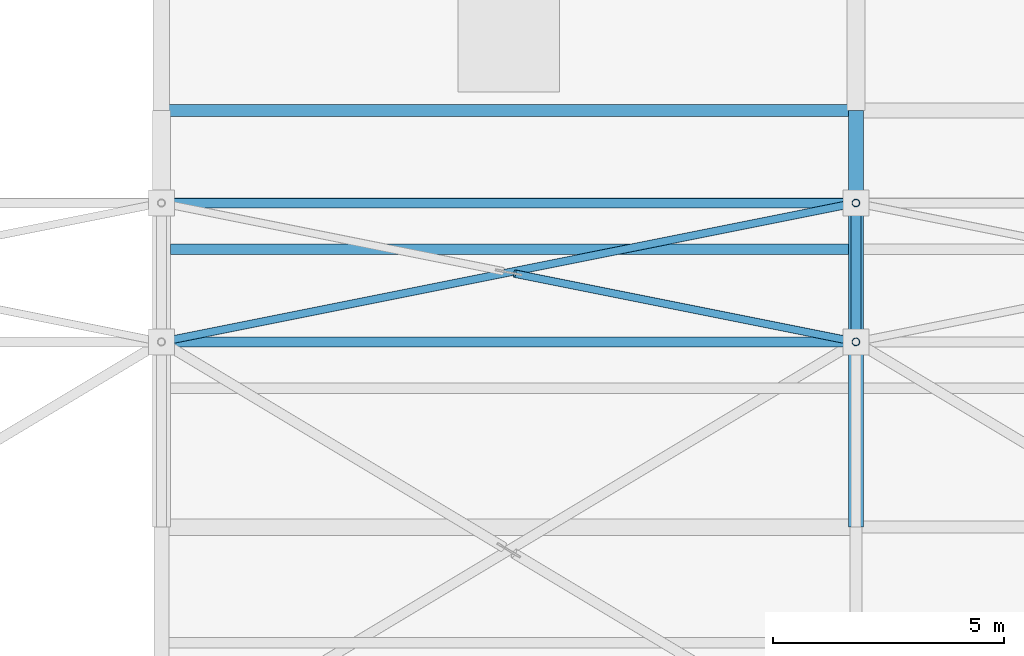
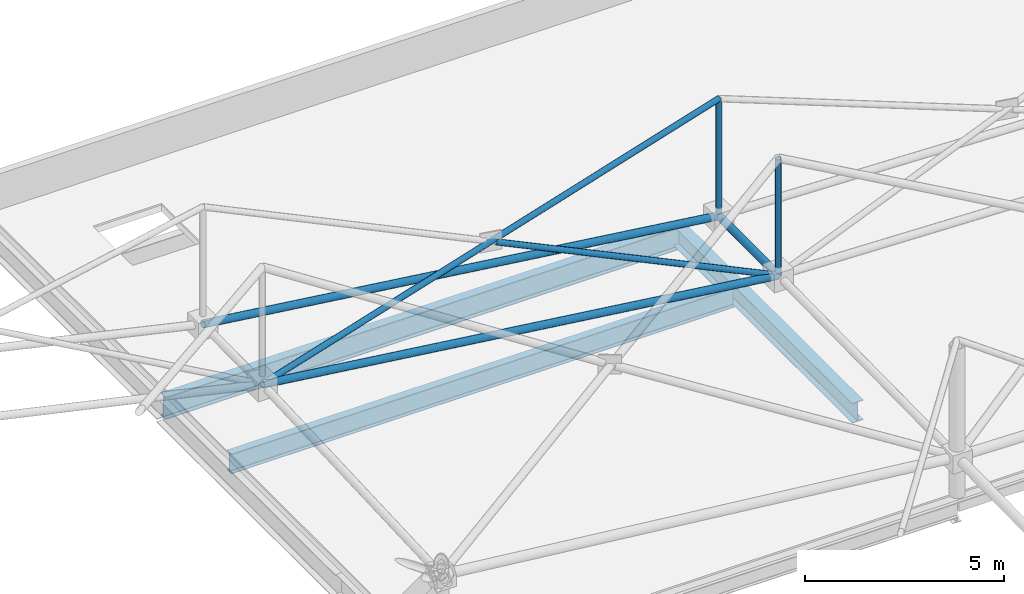
# One storey, part 91 of 224: 7 members, 3 beams.
"""IFC4 building model written with IfcOpenShell, lengths in metres."""

from ifc_helpers import new_model, si_unit, direction, frame, origin, origin_2d, place, context, subcontext, project, spatial, hollow_circle, i_section, extrude, material, material_profile, profile_set, type_object, element, save


model = new_model("IFC4")

# Units and contexts
model_context = context("Model", 3, precision=1e-05, world=origin(), true_north=direction((0.0, 1.0)))
body_context = subcontext(model_context, "Body", "Model", "MODEL_VIEW")
ifc_project = project(units=[si_unit("LENGTHUNIT", "METRE"), si_unit("AREAUNIT", "SQUARE_METRE"), si_unit("VOLUMEUNIT", "CUBIC_METRE"), si_unit("PLANEANGLEUNIT", "RADIAN"), si_unit("MASSUNIT", "GRAM", prefix="KILO")], contexts=[model_context])

# Site, building, storey
site_placement = place(None, origin())
site = spatial("IfcSite", under=ifc_project, at=site_placement, CompositionType="ELEMENT")
building_placement = place(site_placement, origin())
building = spatial("IfcBuilding", under=site, at=building_placement, Name="Qamarlyn Nura Convention Centre", CompositionType="ELEMENT")
storey_placement = place(building_placement, frame((0.0, 0.0, 10.800048828125)))
storey = spatial("IfcBuildingStorey", under=building, at=storey_placement, Name="L02", CompositionType="ELEMENT", Elevation=10.800048828125)

# Beams
ifc_material_1 = material(Name="Steel ASTM A992", Category="steel")
ifc_material_profile_1 = material_profile(ifc_material_1, i_section(OverallWidth=0.323974609375, OverallDepth=0.611083984375, WebThickness=0.0126953125, FlangeThickness=0.01904296875, FilletRadius=0.01611328125, at=origin_2d()), Name="W610X155")
ifc_profile_set_1 = profile_set([ifc_material_profile_1], Name="Steel ASTM A992")
beam_type_1 = type_object("IfcBeamType", Name="BM-GIRD-610", PredefinedType="BEAM", material=ifc_profile_set_1)
beam_1_placement = place(storey_placement, frame((30.0, 108.0, -0.50048828125), z_axis=(0.0, 1.0, 0.0), x_axis=(-1.0, 0.0, 0.0)))
element("IfcBeam", 1, at=beam_1_placement, inside=storey, type_object=beam_type_1, Name="L02 girder 3 N-P", PredefinedType="BEAM", context=body_context, shape_type="SweptSolid", body=[
    extrude(i_section(OverallWidth=0.323974609375, OverallDepth=0.611083984375, WebThickness=0.0126953125, FlangeThickness=0.01904296875, FilletRadius=0.01611328125, at=origin_2d()), origin(), (0.0, 0.0, 1.0), 9.0),
])
ifc_material_profile_2 = material_profile(ifc_material_1, i_section(OverallWidth=0.25390625, OverallDepth=0.68408203125, WebThickness=0.012451171875, FlangeThickness=0.01904296875, FilletRadius=0.01806640625, at=origin_2d()), Name="W690X140")
ifc_profile_set_2 = profile_set([ifc_material_profile_2], Name="Steel ASTM A992")
beam_type_2 = type_object("IfcBeamType", Name="BM-GIRD-690B", PredefinedType="BEAM", material=ifc_profile_set_2)
beam_2_placement = place(storey_placement, frame((15.0, 117.0, -0.537109375), z_axis=(1.0, 0.0, 0.0), x_axis=(0.0, 1.0, 0.0)))
element("IfcBeam", 2, at=beam_2_placement, inside=storey, type_object=beam_type_2, Name="L02 girder P 2-3", PredefinedType="BEAM", context=body_context, shape_type="SweptSolid", body=[
    extrude(i_section(OverallWidth=0.25390625, OverallDepth=0.68408203125, WebThickness=0.012451171875, FlangeThickness=0.01904296875, FilletRadius=0.01806640625, at=origin_2d()), origin(), (0.0, 0.0, 1.0), 15.0),
])
ifc_material_profile_3 = material_profile(ifc_material_1, i_section(OverallWidth=0.22802734375, OverallDepth=0.60791015625, WebThickness=0.01123046875, FlangeThickness=0.017333984375, FilletRadius=0.01611328125, at=origin_2d()), Name="W610X113")
ifc_profile_set_3 = profile_set([ifc_material_profile_3], Name="Steel ASTM A992")
beam_type_3 = type_object("IfcBeamType", Name="BM-JOIST-610", PredefinedType="JOIST", material=ifc_profile_set_3)
beam_3_placement = place(storey_placement, frame((15.1904296875, 114.0, -0.4990234375), z_axis=(1.0, 0.0, 0.0), x_axis=(0.0, 1.0, 0.0)))
element("IfcBeam", 3, at=beam_3_placement, inside=storey, type_object=beam_type_3, Name="L02 composite joist 2-3/N+2", PredefinedType="JOIST", context=body_context, shape_type="SweptSolid", body=[
    extrude(i_section(OverallWidth=0.22802734375, OverallDepth=0.60791015625, WebThickness=0.01123046875, FlangeThickness=0.017333984375, FilletRadius=0.01611328125, at=origin_2d()), origin(), (0.0, 0.0, 1.0), 14.6474609375),
])

# Members
ifc_material_2 = material(Name="Pearl-white PVDF steel ASTM A500 Grade C", Category="steel")
ifc_material_profile_4 = material_profile(ifc_material_2, hollow_circle(Radius=0.109619140625, WallThickness=0.010009765625, at=origin_2d()), Name="CHS219.1X10")
ifc_profile_set_4 = profile_set([ifc_material_profile_4], Name="Pearl-white PVDF steel ASTM A500 Grade C")
member_type_1 = type_object("IfcMemberType", Name="SF-BC-EAVE", PredefinedType="CHORD", material=ifc_profile_set_4)
member_1_placement = place(storey_placement, frame((15.0, 112.0, 3.170654296875), z_axis=(0.992031519104, 0.0, -0.125989940488), x_axis=(0.0, 1.0, 0.0)))
element("IfcMember", 4, at=member_1_placement, inside=storey, type_object=member_type_1, Name="ROOF TRUSS space frame bottom chord X3-8", PredefinedType="CHORD", context=body_context, shape_type="SweptSolid", body=[
    extrude(hollow_circle(Radius=0.109619140625, WallThickness=0.010009765625, at=origin_2d()), origin(), (0.0, 0.0, 1.0), 15.12060546875),
])
member_2_placement = place(storey_placement, frame((15.0, 115.0, 3.199951171875), z_axis=(0.991859094073, 0.0, -0.127340243067), x_axis=(0.0, 1.0, 0.0)))
element("IfcMember", 5, at=member_2_placement, inside=storey, type_object=member_type_1, Name="ROOF TRUSS space frame bottom chord X3-9", PredefinedType="CHORD", context=body_context, shape_type="SweptSolid", body=[
    extrude(hollow_circle(Radius=0.109619140625, WallThickness=0.010009765625, at=origin_2d()), origin(), (0.0, 0.0, 1.0), 15.123046875),
])
member_3_placement = place(storey_placement, frame((30.0, 112.0, 1.265625), z_axis=(0.0, 0.999995943597, 0.002848295738), x_axis=(-1.0, 0.0, 0.0)))
element("IfcMember", 6, at=member_3_placement, inside=storey, type_object=member_type_1, Name="ROOF TRUSS space frame bottom chord Y4-8", PredefinedType="CHORD", context=body_context, shape_type="SweptSolid", body=[
    extrude(hollow_circle(Radius=0.109619140625, WallThickness=0.010009765625, at=origin_2d()), origin(), (0.0, 0.0, 1.0), 3.0),
])
ifc_material_profile_5 = material_profile(ifc_material_2, hollow_circle(Radius=0.084228515625, WallThickness=0.008056640625, at=origin_2d()), Name="CHS168.3X8")
ifc_profile_set_5 = profile_set([ifc_material_profile_5], Name="Pearl-white PVDF steel ASTM A500 Grade C")
member_type_2 = type_object("IfcMemberType", Name="SF-WEB-STD", PredefinedType="BRACE", material=ifc_profile_set_5)
member_4_placement = place(storey_placement, frame((15.0, 112.0, 3.170654296875), z_axis=(0.974557312542, 0.194911462508, 0.110668723464), x_axis=(-0.196116135138, 0.980580675691, 0.0)))
element("IfcMember", 7, at=member_4_placement, inside=storey, type_object=member_type_2, Name="ROOF TRUSS space frame diagonal A 3-8", PredefinedType="BRACE", context=body_context, shape_type="SweptSolid", body=[
    extrude(hollow_circle(Radius=0.084228515625, WallThickness=0.008056640625, at=origin_2d()), origin(), (0.0, 0.0, 1.0), 15.3916015625),
])
member_5_placement = place(storey_placement, frame((30.0, 112.0, 1.265625), z_axis=(-0.922292063346, 0.184452302954, 0.339639069931), x_axis=(-0.196109889119, -0.980581924874, 0.0)))
element("IfcMember", 8, at=member_5_placement, inside=storey, type_object=member_type_2, Name="ROOF TRUSS space frame split diagonal B1 3-8", PredefinedType="BRACE", context=body_context, shape_type="SweptSolid", body=[
    extrude(hollow_circle(Radius=0.084228515625, WallThickness=0.008056640625, at=origin_2d()), origin(), (0.0, 0.0, 1.0), 7.991943359375),
])
member_6_placement = place(storey_placement, frame((30.0, 112.0, 1.265625), z_axis=(0.0, 0.0, 1.0), x_axis=(1.0, 0.0, 0.0)))
element("IfcMember", 9, at=member_6_placement, inside=storey, type_object=member_type_2, Name="ROOF TRUSS space frame vertical 4-8", PredefinedType="BRACE", context=body_context, shape_type="SweptSolid", body=[
    extrude(hollow_circle(Radius=0.084228515625, WallThickness=0.008056640625, at=origin_2d()), origin(), (0.0, 0.0, 1.0), 3.60009765625),
])
member_7_placement = place(storey_placement, frame((30.0, 115.0, 1.274169921875), z_axis=(0.0, 0.0, 1.0), x_axis=(1.0, 0.0, 0.0)))
element("IfcMember", 10, at=member_7_placement, inside=storey, type_object=member_type_2, Name="ROOF TRUSS space frame vertical 4-9", PredefinedType="BRACE", context=body_context, shape_type="SweptSolid", body=[
    extrude(hollow_circle(Radius=0.084228515625, WallThickness=0.008056640625, at=origin_2d()), origin(), (0.0, 0.0, 1.0), 3.599853515625),
])

save(model, "model.ifc")
